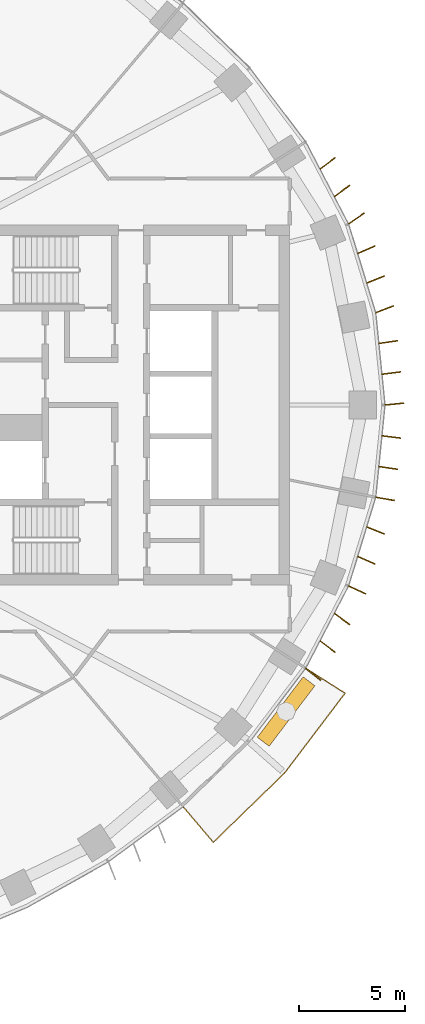
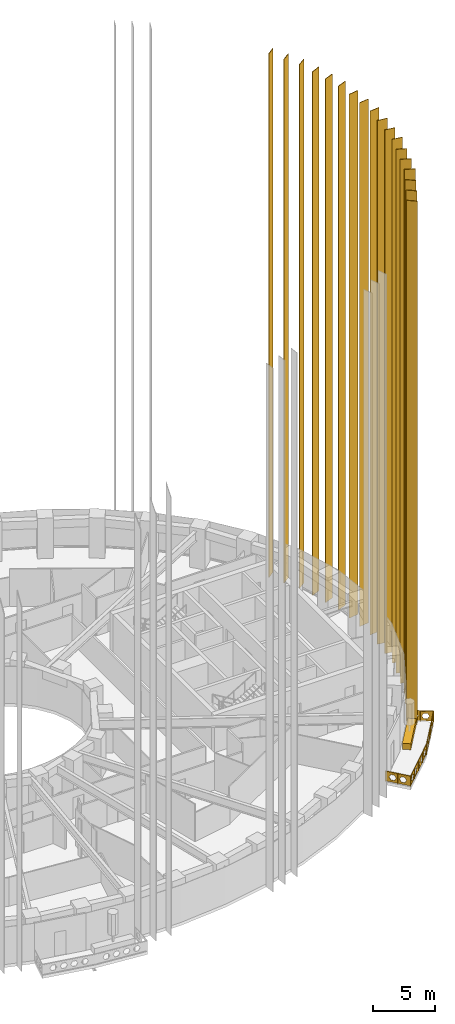
# One storey, part 19 of 20: 19 coverings, 1 railing.
"""IFC4 building model written with IfcOpenShell, lengths in metres."""

from ifc_helpers import new_model, si_unit, direction, frame, origin, origin_2d, place, context, subcontext, project, spatial, polyline, rectangle, outline, extrude, material, material_profile, profile_set, type_object, element, save


model = new_model("IFC4")

# Units and contexts
model_context = context("Model", 3, precision=1e-05, world=origin(), true_north=direction((0.0, 1.0)))
body_context = subcontext(model_context, "Body", "Model", "MODEL_VIEW")
ifc_project = project(units=[si_unit("LENGTHUNIT", "METRE"), si_unit("AREAUNIT", "SQUARE_METRE"), si_unit("VOLUMEUNIT", "CUBIC_METRE"), si_unit("PLANEANGLEUNIT", "RADIAN"), si_unit("MASSUNIT", "GRAM", prefix="KILO")], contexts=[model_context])

# Site, building, storey
site_placement = place(None, origin())
site = spatial("IfcSite", under=ifc_project, at=site_placement, CompositionType="ELEMENT")
building_placement = place(site_placement, origin())
building = spatial("IfcBuilding", under=site, at=building_placement, Name="Noorbagh Ring Tower", CompositionType="ELEMENT")
storey_placement = place(building_placement, frame((0.0, 0.0, 88.0)))
storey = spatial("IfcBuildingStorey", under=building, at=storey_placement, Name="L19", CompositionType="ELEMENT", Elevation=88.0)

# Coverings
ifc_material_1 = material(Name="Aluminium 6063-T6 black anodised", Category="aluminium")
ifc_material_profile = material_profile(ifc_material_1, rectangle(XDim=0.89990234375, YDim=0.050048828125, at=origin_2d()), Name="900x50")
ifc_profile_set = profile_set([ifc_material_profile], Name="Aluminium 6063-T6 black anodised")
covering_type_1 = type_object("IfcCoveringType", Name="ENV-FIN", PredefinedType="CLADDING", material=ifc_profile_set)
for number, where, z_axis, x_axis, name in (
    (1, (36.4482421875, 0.045166015625, -0.284912109375), (0.0, 0.0, 1.0), (0.994969504864, 0.100178263068, 0.0), "Fin F01 1 L19-L31"),
    (2, (36.30126953125, 1.5087890625, -0.284912109375), (0.0, 0.0, 1.0), (0.992302876732, 0.12383457041, 0.0), "Fin F01 2 L19-L31"),
    (3, (36.154296875, 2.97216796875, -0.284912109375), (0.0, 0.0, 1.0), (0.989102941421, 0.147225579543, 0.0), "Fin F01 3 L19-L31"),
    (4, (35.9833984375, 4.520751953125, -0.284912109375), (0.0, 0.0, 1.0), (0.933362145395, 0.358936074453, 0.0), "Fin F02 1 L19-L31"),
    (5, (35.553466796875, 5.92724609375, -0.284912109375), (0.0, 0.0, 1.0), (0.925000661941, 0.379965492392, 0.0), "Fin F02 2 L19-L31"),
    (6, (35.123291015625, 7.3330078125, -0.284912109375), (0.0, 0.0, 1.0), (0.916474909008, 0.40009216583, 0.0), "Fin F02 3 L19-L31"),
    (7, (34.651611328125, 8.810791015625, -0.284912109375), (0.0, 0.0, 1.0), (0.815855460993, 0.57825588347, 0.0), "Fin F03 1 L19-L31"),
    (8, (33.9716796875, 10.113525390625, -0.284912109375), (0.0, 0.0, 1.0), (0.804260303023, 0.59427717858, 0.0), "Fin F03 2 L19-L31"),
    (9, (33.291748046875, 11.415771484375, -0.284912109375), (0.0, 0.0, 1.0), (0.793137535147, 0.609042568579, 0.0), "Fin F03 3 L19-L31"),
    (10, (32.612060546875, -12.71728515625, -0.284912109375), (0.0, 0.0, 1.0), (0.782643528987, -0.622470165176, 0.0), "Fin F44 1 L19-L31"),
    (11, (33.291748046875, -11.415771484375, -0.284912109375), (0.0, 0.0, 1.0), (0.793137535147, -0.609042568579, 0.0), "Fin F44 2 L19-L31"),
    (12, (33.9716796875, -10.113525390625, -0.284912109375), (0.0, 0.0, 1.0), (0.804260303023, -0.59427717858, 0.0), "Fin F44 3 L19-L31"),
    (13, (34.693359375, -8.738525390625, -0.284912109375), (0.0, 0.0, 1.0), (0.907911558545, -0.419161784827, 0.0), "Fin F45 1 L19-L31"),
    (14, (35.123291015625, -7.3330078125, -0.284912109375), (0.0, 0.0, 1.0), (0.916474909008, -0.40009216583, 0.0), "Fin F45 2 L19-L31"),
    (15, (35.553466796875, -5.92724609375, -0.284912109375), (0.0, 0.0, 1.0), (0.925000661941, -0.379965492392, 0.0), "Fin F45 3 L19-L31"),
    (16, (36.0068359375, -4.435546875, -0.284912109375), (0.0, 0.0, 1.0), (0.985418628789, -0.170147365642, 0.0), "Fin F46 1 L19-L31"),
    (17, (36.154296875, -2.97216796875, -0.284912109375), (0.0, 0.0, 1.0), (0.989102941421, -0.147225579543, 0.0), "Fin F46 2 L19-L31"),
    (18, (36.30126953125, -1.5087890625, -0.284912109375), (0.0, 0.0, 1.0), (0.992302876732, -0.12383457041, 0.0), "Fin F46 3 L19-L31"),
):
    element("IfcCovering", number, at=place(storey_placement, frame(where, z_axis=z_axis, x_axis=x_axis)), inside=storey, type_object=covering_type_1, Name=name, ObjectType="FIN", PredefinedType="CLADDING", context=body_context, shape_type="SweptSolid", body=[
        extrude(rectangle(XDim=0.89990234375, YDim=0.050048828125, at=origin_2d()), origin(), (0.0, 0.0, 1.0), 51.969970703125),
    ])

# Railing
ifc_material_2 = material(Name="Steel S275 black powder-coated", Category="steel")
railing_type = type_object("IfcRailingType", Name="ENV-GUARD", PredefinedType="GUARDRAIL", material=ifc_material_2)
railing_placement = place(storey_placement, frame((26.463134765625, -18.983154296875, 0.0)))
element("IfcRailing", 19, at=railing_placement, inside=storey, type_object=railing_type, Name="Balcony guard BS06", PredefinedType="GUARDRAIL", context=body_context, shape_type="SweptSolid", body=[
    extrude(rectangle(XDim=0.048095703125, YDim=0.048095703125, at=origin_2d()), frame((0.0, 0.0, 1.076171875), z_axis=(0.646413574048, -0.762987215677, 0.0), x_axis=(0.762987215677, 0.646413574048, 0.0)), (0.0, 0.0, 1.0), 2.205322265625),
    extrude(rectangle(XDim=0.048095703125, YDim=0.048095703125, at=origin_2d()), frame((1.425537109375, -1.6826171875, 1.076171875), z_axis=(0.717212632946, 0.696854388766, 0.0), x_axis=(-0.696854388766, 0.717212632946, 0.0)), (0.0, 0.0, 1.0), 4.700927734375),
    extrude(rectangle(XDim=0.048095703125, YDim=0.048095703125, at=origin_2d()), frame((4.797119140625, 1.59326171875, 1.076171875), z_axis=(0.604001613322, 0.796983093362, 0.0), x_axis=(-0.796983093362, 0.604001613322, 0.0)), (0.0, 0.0, 1.0), 4.7353515625),
    extrude(rectangle(XDim=0.048095703125, YDim=0.048095703125, at=origin_2d()), frame((7.6572265625, 5.3671875, 1.076171875), z_axis=(-0.844852397829, 0.534999463442, 0.0), x_axis=(-0.534999463442, -0.844852397829, 0.0)), (0.0, 0.0, 1.0), 2.207763671875),
    extrude(rectangle(XDim=0.0419921875, YDim=0.0419921875, at=origin_2d()), origin(), (0.0, 0.0, 1.0), 1.052001953125),
    extrude(rectangle(XDim=0.0419921875, YDim=0.0419921875, at=origin_2d()), frame((0.712890625, -0.84130859375, 0.0)), (0.0, 0.0, 1.0), 1.052001953125),
    extrude(rectangle(XDim=0.0419921875, YDim=0.0419921875, at=origin_2d()), frame((1.425537109375, -1.6826171875, 0.0)), (0.0, 0.0, 1.0), 1.052001953125),
    extrude(rectangle(XDim=0.0419921875, YDim=0.0419921875, at=origin_2d()), frame((2.2685546875, -0.86376953125, 0.0)), (0.0, 0.0, 1.0), 1.052001953125),
    extrude(rectangle(XDim=0.0419921875, YDim=0.0419921875, at=origin_2d()), frame((3.111328125, -0.044677734375, 0.0)), (0.0, 0.0, 1.0), 1.052001953125),
    extrude(rectangle(XDim=0.0419921875, YDim=0.0419921875, at=origin_2d()), frame((3.9541015625, 0.7744140625, 0.0)), (0.0, 0.0, 1.0), 1.052001953125),
    extrude(rectangle(XDim=0.0419921875, YDim=0.0419921875, at=origin_2d()), frame((4.797119140625, 1.59326171875, 0.0)), (0.0, 0.0, 1.0), 1.052001953125),
    extrude(rectangle(XDim=0.0419921875, YDim=0.0419921875, at=origin_2d()), frame((5.51220703125, 2.53662109375, 0.0)), (0.0, 0.0, 1.0), 1.052001953125),
    extrude(rectangle(XDim=0.0419921875, YDim=0.0419921875, at=origin_2d()), frame((6.22705078125, 3.480224609375, 0.0)), (0.0, 0.0, 1.0), 1.052001953125),
    extrude(rectangle(XDim=0.0419921875, YDim=0.0419921875, at=origin_2d()), frame((6.942138671875, 4.423828125, 0.0)), (0.0, 0.0, 1.0), 1.052001953125),
    extrude(rectangle(XDim=0.0419921875, YDim=0.0419921875, at=origin_2d()), frame((7.6572265625, 5.3671875, 0.0)), (0.0, 0.0, 1.0), 1.052001953125),
    extrude(rectangle(XDim=0.0419921875, YDim=0.0419921875, at=origin_2d()), frame((6.724609375, 5.957763671875, 0.0)), (0.0, 0.0, 1.0), 1.052001953125),
    extrude(rectangle(XDim=0.0419921875, YDim=0.0419921875, at=origin_2d()), frame((5.7919921875, 6.54833984375, 0.0)), (0.0, 0.0, 1.0), 1.052001953125),
    extrude(outline(polyline([(0.0, 0.10009765625), (2.205322265625, 0.10009765625), (2.205322265625, 1.031982421875), (0.0, 1.031982421875), (0.0, 0.10009765625)]), holes=[polyline([(0.962646484375, 0.56591796875), (0.8076171875, 0.83447265625), (0.49755859375, 0.83447265625), (0.342529296875, 0.56591796875), (0.49755859375, 0.297607421875), (0.8076171875, 0.297607421875), (0.962646484375, 0.56591796875)]), polyline([(1.862548828125, 0.56591796875), (1.707763671875, 0.83447265625), (1.397705078125, 0.83447265625), (1.24267578125, 0.56591796875), (1.397705078125, 0.297607421875), (1.707763671875, 0.297607421875), (1.862548828125, 0.56591796875)])]), frame((0.007568359375, 0.00634765625, 0.0), z_axis=(-0.762987215677, -0.646413574048, 0.0), x_axis=(0.646413574048, -0.762987215677, 0.0)), (0.0, 0.0, 1.0), 0.02001953125),
    extrude(outline(polyline([(0.0, 0.10009765625), (4.700927734375, 0.10009765625), (4.700927734375, 1.031982421875), (0.0, 1.031982421875), (0.0, 0.10009765625)]), holes=[polyline([(0.860595703125, 0.56591796875), (0.70556640625, 0.83447265625), (0.3955078125, 0.83447265625), (0.240478515625, 0.56591796875), (0.3955078125, 0.297607421875), (0.70556640625, 0.297607421875), (0.860595703125, 0.56591796875)]), polyline([(1.760498046875, 0.56591796875), (1.60546875, 0.83447265625), (1.29541015625, 0.83447265625), (1.140380859375, 0.56591796875), (1.29541015625, 0.297607421875), (1.60546875, 0.297607421875), (1.760498046875, 0.56591796875)]), polyline([(2.660400390625, 0.56591796875), (2.50537109375, 0.83447265625), (2.195556640625, 0.83447265625), (2.04052734375, 0.56591796875), (2.195556640625, 0.297607421875), (2.50537109375, 0.297607421875), (2.660400390625, 0.56591796875)]), polyline([(3.560546875, 0.56591796875), (3.405517578125, 0.83447265625), (3.095458984375, 0.83447265625), (2.9404296875, 0.56591796875), (3.095458984375, 0.297607421875), (3.405517578125, 0.297607421875), (3.560546875, 0.56591796875)]), polyline([(4.46044921875, 0.56591796875), (4.305419921875, 0.83447265625), (3.995361328125, 0.83447265625), (3.840576171875, 0.56591796875), (3.995361328125, 0.297607421875), (4.305419921875, 0.297607421875), (4.46044921875, 0.56591796875)])]), frame((1.41845703125, -1.675537109375, 0.0), z_axis=(0.696854388766, -0.717212632946, 0.0), x_axis=(0.717212632946, 0.696854388766, 0.0)), (0.0, 0.0, 1.0), 0.02001953125),
    extrude(outline(polyline([(0.0, 0.10009765625), (4.7353515625, 0.10009765625), (4.7353515625, 1.031982421875), (0.0, 1.031982421875), (0.0, 0.10009765625)]), holes=[polyline([(0.877685546875, 0.56591796875), (0.72265625, 0.83447265625), (0.41259765625, 0.83447265625), (0.257568359375, 0.56591796875), (0.41259765625, 0.297607421875), (0.72265625, 0.297607421875), (0.877685546875, 0.56591796875)]), polyline([(1.777587890625, 0.56591796875), (1.62255859375, 0.83447265625), (1.312744140625, 0.83447265625), (1.15771484375, 0.56591796875), (1.312744140625, 0.297607421875), (1.62255859375, 0.297607421875), (1.777587890625, 0.56591796875)]), polyline([(2.677734375, 0.56591796875), (2.522705078125, 0.83447265625), (2.212646484375, 0.83447265625), (2.0576171875, 0.56591796875), (2.212646484375, 0.297607421875), (2.522705078125, 0.297607421875), (2.677734375, 0.56591796875)]), polyline([(3.57763671875, 0.56591796875), (3.422607421875, 0.83447265625), (3.112548828125, 0.83447265625), (2.95751953125, 0.56591796875), (3.112548828125, 0.297607421875), (3.422607421875, 0.297607421875), (3.57763671875, 0.56591796875)]), polyline([(4.4775390625, 0.56591796875), (4.32275390625, 0.83447265625), (4.0126953125, 0.83447265625), (3.857666015625, 0.56591796875), (4.0126953125, 0.297607421875), (4.32275390625, 0.297607421875), (4.4775390625, 0.56591796875)])]), frame((4.7890625, 1.599365234375, 0.0), z_axis=(0.796983093362, -0.604001613322, 0.0), x_axis=(0.604001613322, 0.796983093362, 0.0)), (0.0, 0.0, 1.0), 0.02001953125),
    extrude(outline(polyline([(0.0, 0.10009765625), (2.207763671875, 0.10009765625), (2.207763671875, 1.031982421875), (0.0, 1.031982421875), (0.0, 0.10009765625)]), holes=[polyline([(0.9638671875, 0.56591796875), (0.808837890625, 0.83447265625), (0.498779296875, 0.83447265625), (0.343994140625, 0.56591796875), (0.498779296875, 0.297607421875), (0.808837890625, 0.297607421875), (0.9638671875, 0.56591796875)]), polyline([(1.86376953125, 0.56591796875), (1.708984375, 0.83447265625), (1.39892578125, 0.83447265625), (1.243896484375, 0.56591796875), (1.39892578125, 0.297607421875), (1.708984375, 0.297607421875), (1.86376953125, 0.56591796875)])]), frame((7.65185546875, 5.358642578125, 0.0), z_axis=(0.534999463442, 0.844852397829, 0.0), x_axis=(-0.844852397829, 0.534999463442, 0.0)), (0.0, 0.0, 1.0), 0.02001953125),
])

# Covering
ifc_material_3 = material(Name="Concrete C30/37 planter with soil", Category="concrete")
covering_type_2 = type_object("IfcCoveringType", Name="ENV-PLANTER", PredefinedType="CLADDING", material=ifc_material_3)
covering_placement = place(storey_placement, frame((31.329833984375, -14.4833984375, 0.0), z_axis=(0.0, 0.0, 1.0), x_axis=(0.604020184358, 0.796969018776, 0.0)))
element("IfcCovering", 20, at=covering_placement, inside=storey, type_object=covering_type_2, Name="PLANTER BS06", ObjectType="PLANTER", PredefinedType="CLADDING", context=body_context, shape_type="SweptSolid", body=[
    extrude(rectangle(XDim=3.583251953125, YDim=0.699951171875, at=origin_2d()), origin(), (0.0, 0.0, 1.0), 0.60009765625),
])

save(model, "model.ifc")
